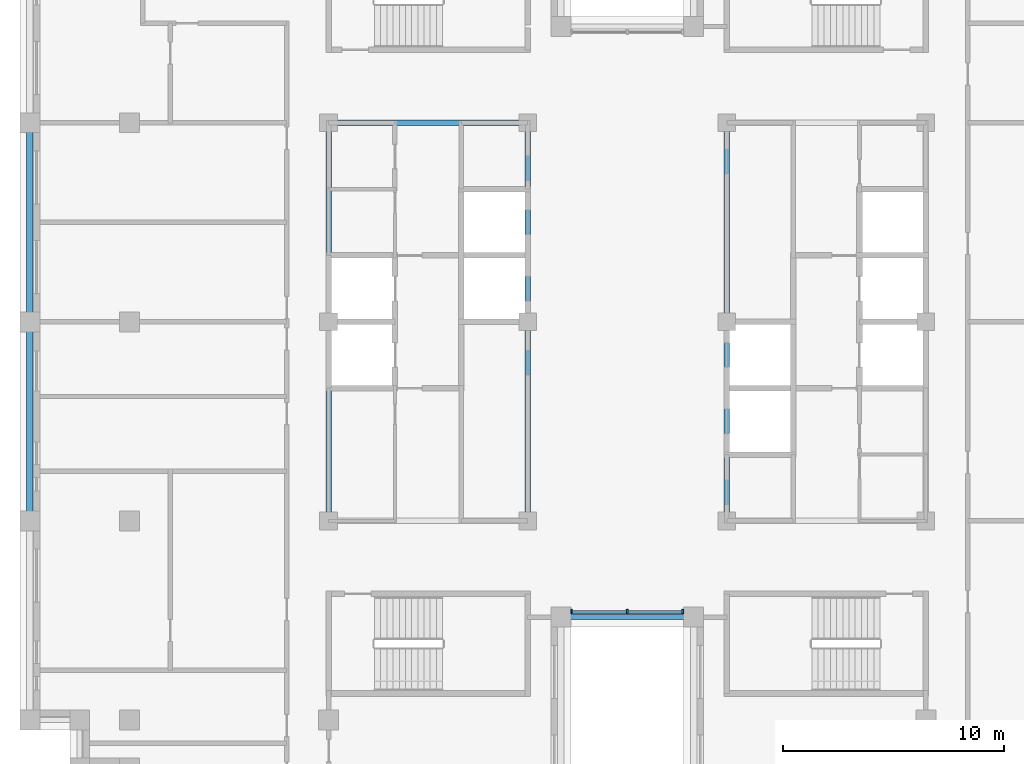
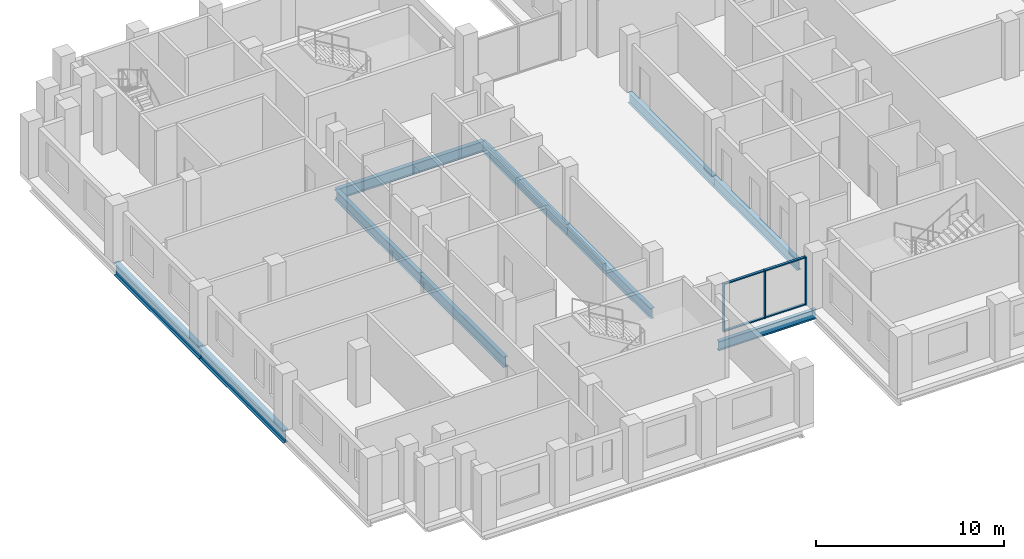
# One storey, part 2 of 13: 10 beams, 7 members, 1 element without a shape of its own.
"""IFC4 building model written with IfcOpenShell, lengths in metres."""

from ifc_helpers import new_model, si_unit, direction, frame, origin, origin_2d, place, context, subcontext, project, spatial, rectangle, i_section, extrude, material, layer, layer_set, material_profile, profile_set, type_object, element, aggregate, save


model = new_model("IFC4")

# Units and contexts
model_context = context("Model", 3, precision=1e-05, world=origin(), true_north=direction((0.0, 1.0)))
body_context = subcontext(model_context, "Body", "Model", "MODEL_VIEW")
ifc_project = project(units=[si_unit("LENGTHUNIT", "METRE"), si_unit("AREAUNIT", "SQUARE_METRE"), si_unit("VOLUMEUNIT", "CUBIC_METRE"), si_unit("PLANEANGLEUNIT", "RADIAN"), si_unit("MASSUNIT", "GRAM", prefix="KILO")], contexts=[model_context])

# Site, building, storey
site_placement = place(None, origin())
site = spatial("IfcSite", under=ifc_project, at=site_placement, CompositionType="ELEMENT")
building_placement = place(site_placement, origin())
building = spatial("IfcBuilding", under=site, at=building_placement, Name="Corbelhall Arena Tower", CompositionType="ELEMENT")
storey_placement = place(building_placement, frame((0.0, 0.0, 282.0)))
storey = spatial("IfcBuildingStorey", under=building, at=storey_placement, Name="L61", CompositionType="ELEMENT", Elevation=282.0)

# Curtain wall, members
ifc_material_1 = material(Name="Aluminium black anodised", Category="aluminium")
ifc_layer = layer(ifc_material_1, 0.199951171875)
ifc_layer_set = layer_set([ifc_layer], Name="EV-CW1 Slot back wall")
curtain_wall_type = type_object("IfcCurtainWallType", Name="EV-CW1 Slot back wall", PredefinedType="NOTDEFINED", material=ifc_layer_set)
curtain_wall_placement = place(storey_placement, origin())
curtain_wall = element("IfcCurtainWall", 1, at=curtain_wall_placement, inside=storey, type_object=curtain_wall_type, Name="Curtain wall CW1", PredefinedType="NOTDEFINED")
ifc_material_profile_1 = material_profile(ifc_material_1, rectangle(XDim=0.199951171875, YDim=0.074951171875, at=origin_2d()))
ifc_profile_set_1 = profile_set([ifc_material_profile_1], Name="Aluminium black anodised")
member_type_1 = type_object("IfcMemberType", Name="EV-CW1-MULLION", PredefinedType="MULLION", material=ifc_profile_set_1)
member_1_placement = place(storey_placement, frame((-2.512451171875, -13.10009765625, 0.0), z_axis=(0.0, 0.0, 1.0), x_axis=(0.0, 1.0, 0.0)))
member_1 = element("IfcMember", 2, at=member_1_placement, type_object=member_type_1, Name="CW1 mullion 1", PredefinedType="MULLION", context=body_context, shape_type="SweptSolid", body=[
    extrude(rectangle(XDim=0.199951171875, YDim=0.074951171875, at=origin_2d()), origin(), (0.0, 0.0, 1.0), 3.1201171875),
])
member_2_placement = place(storey_placement, frame((0.0, -13.10009765625, 0.0), z_axis=(0.0, 0.0, 1.0), x_axis=(0.0, 1.0, 0.0)))
member_2 = element("IfcMember", 3, at=member_2_placement, type_object=member_type_1, Name="CW1 mullion 2", PredefinedType="MULLION", context=body_context, shape_type="SweptSolid", body=[
    extrude(rectangle(XDim=0.199951171875, YDim=0.074951171875, at=origin_2d()), origin(), (0.0, 0.0, 1.0), 3.1201171875),
])
member_3_placement = place(storey_placement, frame((2.512451171875, -13.10009765625, 0.0), z_axis=(0.0, 0.0, 1.0), x_axis=(0.0, 1.0, 0.0)))
member_3 = element("IfcMember", 4, at=member_3_placement, type_object=member_type_1, Name="CW1 mullion 3", PredefinedType="MULLION", context=body_context, shape_type="SweptSolid", body=[
    extrude(rectangle(XDim=0.199951171875, YDim=0.074951171875, at=origin_2d()), origin(), (0.0, 0.0, 1.0), 3.1201171875),
])
ifc_material_profile_2 = material_profile(ifc_material_1, rectangle(XDim=0.14990234375, YDim=0.074951171875, at=origin_2d()))
ifc_profile_set_2 = profile_set([ifc_material_profile_2], Name="Aluminium black anodised")
member_type_2 = type_object("IfcMemberType", Name="EV-CW1-TRANSOM", PredefinedType="USERDEFINED", material=ifc_profile_set_2)
member_4_placement = place(storey_placement, frame((-2.47509765625, -13.10009765625, 0.03759765625), z_axis=(1.0, 0.0, 0.0), x_axis=(0.0, 1.0, 0.0)))
member_4 = element("IfcMember", 5, at=member_4_placement, type_object=member_type_2, Name="CW1 transom 1.1", ObjectType="transom", PredefinedType="USERDEFINED", context=body_context, shape_type="SweptSolid", body=[
    extrude(rectangle(XDim=0.14990234375, YDim=0.074951171875, at=origin_2d()), origin(), (0.0, 0.0, 1.0), 2.4375),
])
member_5_placement = place(storey_placement, frame((-2.47509765625, -13.10009765625, 3.08251953125), z_axis=(1.0, 0.0, 0.0), x_axis=(0.0, 1.0, 0.0)))
member_5 = element("IfcMember", 6, at=member_5_placement, type_object=member_type_2, Name="CW1 transom 1.2", ObjectType="transom", PredefinedType="USERDEFINED", context=body_context, shape_type="SweptSolid", body=[
    extrude(rectangle(XDim=0.14990234375, YDim=0.074951171875, at=origin_2d()), origin(), (0.0, 0.0, 1.0), 2.4375),
])
member_6_placement = place(storey_placement, frame((0.03759765625, -13.10009765625, 0.03759765625), z_axis=(1.0, 0.0, 0.0), x_axis=(0.0, 1.0, 0.0)))
member_6 = element("IfcMember", 7, at=member_6_placement, type_object=member_type_2, Name="CW1 transom 2.1", ObjectType="transom", PredefinedType="USERDEFINED", context=body_context, shape_type="SweptSolid", body=[
    extrude(rectangle(XDim=0.14990234375, YDim=0.074951171875, at=origin_2d()), origin(), (0.0, 0.0, 1.0), 2.4375),
])
member_7_placement = place(storey_placement, frame((0.03759765625, -13.10009765625, 3.08251953125), z_axis=(1.0, 0.0, 0.0), x_axis=(0.0, 1.0, 0.0)))
member_7 = element("IfcMember", 8, at=member_7_placement, type_object=member_type_2, Name="CW1 transom 2.2", ObjectType="transom", PredefinedType="USERDEFINED", context=body_context, shape_type="SweptSolid", body=[
    extrude(rectangle(XDim=0.14990234375, YDim=0.074951171875, at=origin_2d()), origin(), (0.0, 0.0, 1.0), 2.4375),
])
aggregate(curtain_wall, [member_1, member_2, member_3, member_4, member_5, member_6, member_7])

# Beams
ifc_material_2 = material(Name="Steel ASTM A992 Gr50", Category="steel")
ifc_material_profile_3 = material_profile(ifc_material_2, i_section(OverallWidth=0.25390625, OverallDepth=0.67822265625, WebThickness=0.01171875, FlangeThickness=0.016357421875, at=origin_2d()))
ifc_profile_set_3 = profile_set([ifc_material_profile_3], Name="Steel ASTM A992 Gr50")
beam_type_1 = type_object("IfcBeamType", Name="ST-BEAM-W27x84", PredefinedType="BEAM", material=ifc_profile_set_3)
for number, where, z_axis, x_axis, name in (
    (9, (-13.5, -9.0, -0.619140625), (0.0, 1.0, 0.0), (-1.0, 0.0, 0.0), "Beam CEW 1"),
    (10, (-13.5, 0.0, -0.619140625), (0.0, 1.0, 0.0), (-1.0, 0.0, 0.0), "Beam CEW 2"),
    (11, (-4.5, -9.0, -0.619140625), (0.0, 1.0, 0.0), (-1.0, 0.0, 0.0), "Beam CEW 3"),
    (12, (-4.5, 0.0, -0.619140625), (0.0, 1.0, 0.0), (-1.0, 0.0, 0.0), "Beam CEW 4"),
    (13, (-13.5, 9.0, -0.619140625), (1.0, 0.0, 0.0), (0.0, 1.0, 0.0), "Beam CEW 6"),
    (14, (4.5, -9.0, -0.619140625), (0.0, 1.0, 0.0), (-1.0, 0.0, 0.0), "Beam CEE 7"),
    (15, (4.5, 0.0, -0.619140625), (0.0, 1.0, 0.0), (-1.0, 0.0, 0.0), "Beam CEE 8"),
):
    element("IfcBeam", number, at=place(storey_placement, frame(where, z_axis=z_axis, x_axis=x_axis)), inside=storey, type_object=beam_type_1, Name=name, PredefinedType="BEAM", context=body_context, shape_type="SweptSolid", body=[
        extrude(i_section(OverallWidth=0.25390625, OverallDepth=0.67822265625, WebThickness=0.01171875, FlangeThickness=0.016357421875, at=origin_2d()), origin(), (0.0, 0.0, 1.0), 9.0),
    ])
ifc_material_profile_4 = material_profile(ifc_material_2, i_section(OverallWidth=0.227783203125, OverallDepth=0.60205078125, WebThickness=0.010498046875, FlangeThickness=0.014892578125, at=origin_2d()))
ifc_profile_set_4 = profile_set([ifc_material_profile_4], Name="Steel ASTM A992 Gr50")
beam_type_2 = type_object("IfcBeamType", Name="ST-SPANDREL-W24x68", PredefinedType="SPANDREL", material=ifc_profile_set_4)
beam_placement = place(storey_placement, frame((3.0, -13.35009765625, -0.5810546875), z_axis=(-1.0, 0.0, 0.0), x_axis=(0.0, -1.0, 0.0)))
element("IfcBeam", 16, at=beam_placement, inside=storey, type_object=beam_type_2, Name="Beam SP 33", PredefinedType="SPANDREL", context=body_context, shape_type="SweptSolid", body=[
    extrude(i_section(OverallWidth=0.227783203125, OverallDepth=0.60205078125, WebThickness=0.010498046875, FlangeThickness=0.014892578125, at=origin_2d()), origin(), (0.0, 0.0, 1.0), 6.0),
])
ifc_material_profile_5 = material_profile(ifc_material_2, i_section(OverallWidth=0.2919921875, OverallDepth=0.845703125, WebThickness=0.015380859375, FlangeThickness=0.0244140625, at=origin_2d()))
ifc_profile_set_5 = profile_set([ifc_material_profile_5], Name="Steel ASTM A992 Gr50")
beam_type_3 = type_object("IfcBeamType", Name="ST-SPANDREL-W33x141", PredefinedType="SPANDREL", material=ifc_profile_set_5)
for number, where, z_axis, x_axis, name in (
    (17, (-27.0, 0.0, -0.702880859375), (0.0, 1.0, 0.0), (-1.0, 0.0, 0.0), "Beam SP 26"),
    (18, (-27.0, -9.0, -0.702880859375), (0.0, 1.0, 0.0), (-1.0, 0.0, 0.0), "Beam SP 29"),
):
    element("IfcBeam", number, at=place(storey_placement, frame(where, z_axis=z_axis, x_axis=x_axis)), inside=storey, type_object=beam_type_3, Name=name, PredefinedType="SPANDREL", context=body_context, shape_type="SweptSolid", body=[
        extrude(i_section(OverallWidth=0.2919921875, OverallDepth=0.845703125, WebThickness=0.015380859375, FlangeThickness=0.0244140625, at=origin_2d()), origin(), (0.0, 0.0, 1.0), 9.0),
    ])

save(model, "model.ifc")
